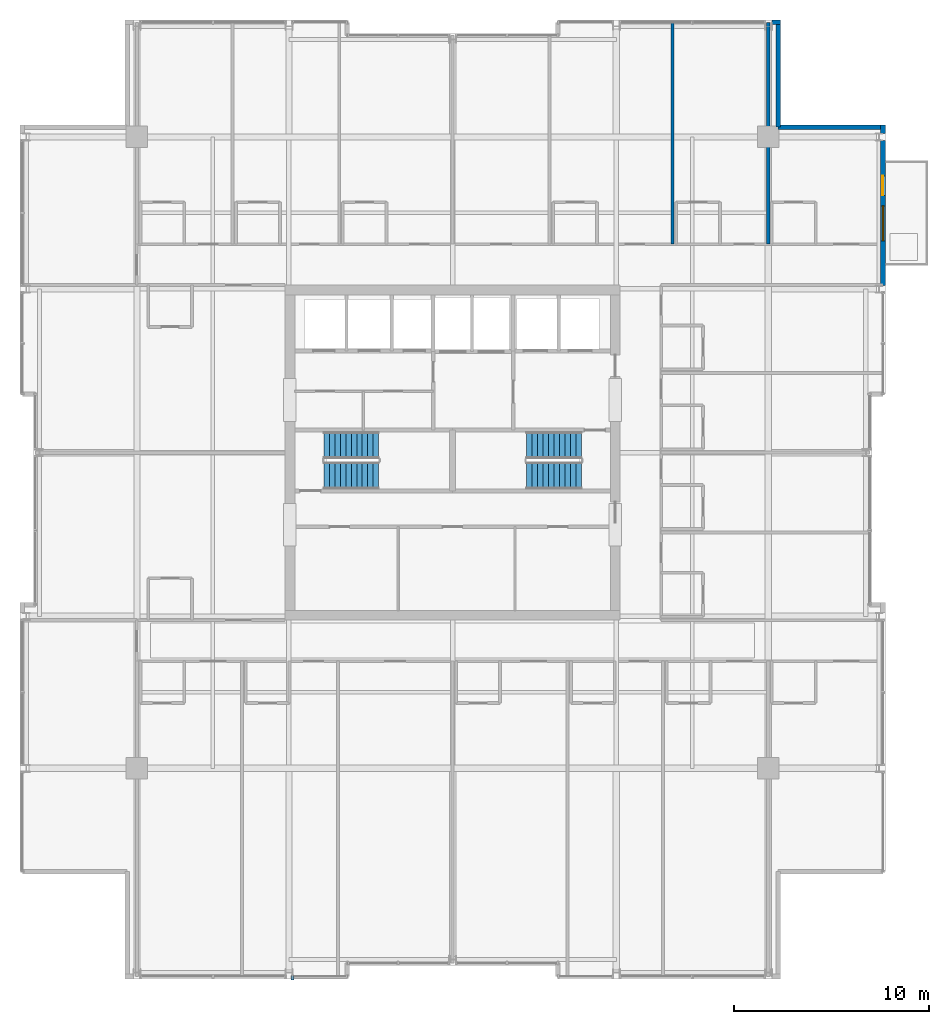
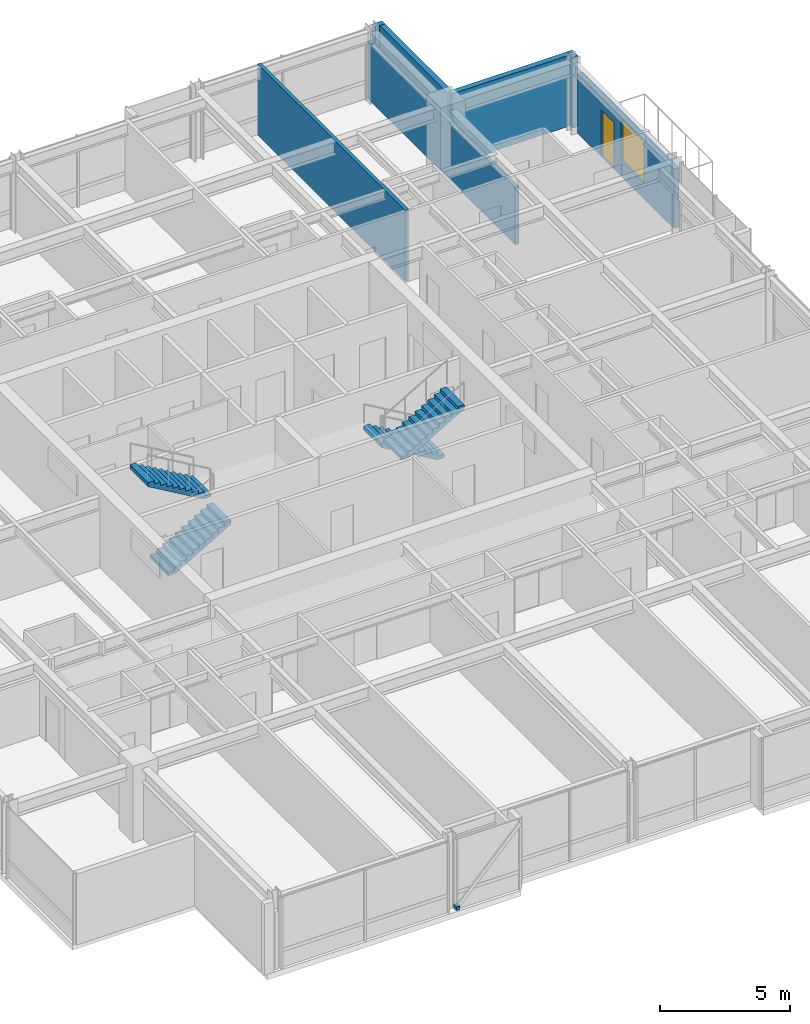
# One storey, part 31 of 34: 7 walls, 4 stair flights, 1 discrete accessory, 1 door, 1 window, 2 openings, 2 elements without a shape of their own.
"""IFC4 building model written with IfcOpenShell, lengths in metres."""

from ifc_helpers import new_model, si_unit, direction, frame, frame_2d, origin, origin_2d, place, context, subcontext, project, spatial, polyline, rectangle, outline, extrude, material, layer, layer_set, type_object, element, fill, aggregate, save


model = new_model("IFC4")

# Units and contexts
model_context = context("Model", 3, precision=1e-05, world=origin(), true_north=direction((0.0, 1.0)))
body_context = subcontext(model_context, "Body", "Model", "MODEL_VIEW")
ifc_project = project(units=[si_unit("LENGTHUNIT", "METRE"), si_unit("AREAUNIT", "SQUARE_METRE"), si_unit("VOLUMEUNIT", "CUBIC_METRE"), si_unit("PLANEANGLEUNIT", "RADIAN"), si_unit("MASSUNIT", "GRAM", prefix="KILO")], contexts=[model_context])

# Site, building, storey
site_placement = place(None, origin())
site = spatial("IfcSite", under=ifc_project, at=site_placement, CompositionType="ELEMENT")
building_placement = place(site_placement, origin())
building = spatial("IfcBuilding", under=site, at=building_placement, Name="Drelvath Grand Hotel", CompositionType="ELEMENT")
storey_placement = place(building_placement, frame((0.0, 0.0, 208.699951171875)))
storey = spatial("IfcBuildingStorey", under=building, at=storey_placement, Name="L54", CompositionType="ELEMENT", Elevation=208.699951171875)

# Walls
ifc_material_1 = material(Name="Gypsum Acoustic Partition")
ifc_layer_1 = layer(ifc_material_1, 0.14990234375)
ifc_layer_set_1 = layer_set([ifc_layer_1], Name="Gypsum Acoustic Partition")
wall_type_1 = type_object("IfcWallType", Name="Guestroom Demising Wall 150", PredefinedType="PARTITIONING", material=ifc_layer_set_1)
wall_1_placement = place(storey_placement, frame((11.291015625, 37.699951171875, 0.0), z_axis=(0.0, 0.0, 1.0), x_axis=(0.0, 1.0, 0.0)))
element("IfcWall", 1, at=wall_1_placement, inside=storey, type_object=wall_type_1, Name="L54 North Demising 5", PredefinedType="PARTITIONING", context=body_context, shape_type="SweptSolid", body=[
    extrude(rectangle(XDim=11.380126953125, YDim=0.14990234375, at=frame_2d((5.68994140625, 0.0))), origin(), (0.0, 0.0, 1.0), 3.340087890625),
])
ifc_layer_2 = layer(ifc_material_1, 0.1650390625)
ifc_layer_set_2 = layer_set([ifc_layer_2], Name="Gypsum Acoustic Partition")
wall_type_2 = type_object("IfcWallType", Name="Suite Demising Wall 165", PredefinedType="PARTITIONING", material=ifc_layer_set_2)
wall_2_placement = place(storey_placement, frame((16.199951171875, 37.699951171875, 0.0), z_axis=(0.0, 0.0, 1.0), x_axis=(0.0, 1.0, 0.0)))
element("IfcWall", 2, at=wall_2_placement, inside=storey, type_object=wall_type_2, Name="L54 NE Suite Wall", PredefinedType="PARTITIONING", context=body_context, shape_type="SweptSolid", body=[
    extrude(rectangle(XDim=11.380126953125, YDim=0.1650390625, at=frame_2d((5.68994140625, 0.0))), origin(), (0.0, 0.0, 1.0), 2.7138671875),
])

# Wall, openings, window, door
ifc_material_2 = material(Name="Pale-Metal Insulated Aluminium Spandrel Assembly", Category="aluminium")
ifc_layer_3 = layer(ifc_material_2, 0.239990234375)
ifc_layer_set_3 = layer_set([ifc_layer_3], Name="Pale-Metal Insulated Aluminium Spandrel Assembly")
wall_type_3 = type_object("IfcWallType", Name="Tower Insulated Metal Spandrel Closure Wall 240", PredefinedType="STANDARD", material=ifc_layer_set_3)
wall_3_placement = place(storey_placement, frame((22.080078125, 43.0146484375, 0.0), z_axis=(0.0, 0.0, 1.0), x_axis=(0.0, -1.0, 0.0)))
wall_3 = element("IfcWall", 3, at=wall_3_placement, inside=storey, type_object=wall_type_3, Name="L54 Exterior Terrace Door Bay Wall EN2", PredefinedType="STANDARD", context=body_context, shape_type="SweptSolid", body=[
    extrude(rectangle(XDim=7.429443359375, YDim=0.239990234375, at=frame_2d((3.71484375, 0.0))), origin(), (0.0, 0.0, 1.0), 2.803466796875),
])
opening_1_placement = place(wall_3_placement, frame((1.814697265625, 0.0, 0.0)))
opening_1 = element("IfcOpeningElement", 4, at=opening_1_placement, cuts=wall_3, Name="Opening TD-1000", PredefinedType="OPENING", context=body_context, shape_type="SweptSolid", body=[
    extrude(rectangle(XDim=1.0, YDim=2.199951171875, at=frame_2d((0.5, 1.10009765625))), frame((0.0, 0.1298828125, 0.0), z_axis=(0.0, -1.0, 0.0), x_axis=(1.0, 0.0, 0.0)), (0.0, 0.0, 1.0), 0.260009765625),
])
opening_2_placement = place(wall_3_placement, frame((3.34619140625, 0.0, 0.75)))
opening_2 = element("IfcOpeningElement", 5, at=opening_2_placement, cuts=wall_3, Name="Opening W-02", PredefinedType="OPENING", context=body_context, shape_type="SweptSolid", body=[
    extrude(rectangle(XDim=1.800048828125, YDim=1.953369140625, at=frame_2d((0.89990234375, 0.9765625))), frame((0.0, 0.1298828125, 0.0), z_axis=(0.0, -1.0, 0.0), x_axis=(1.0, 0.0, 0.0)), (0.0, 0.0, 1.0), 0.260009765625),
])
ifc_material_3 = material(Name="Bronze Anodised Low-E Triple Glazing", Category="glass")
window_type = type_object("IfcWindowType", Name="Chicago Double-Pane Podium Window 1800x2400", PartitioningType="DOUBLE_PANEL_VERTICAL", PredefinedType="WINDOW", material=ifc_material_3)
window_placement = place(opening_2_placement, origin())
window = element("IfcWindow", 6, at=window_placement, inside=storey, type_object=window_type, Name="L54 Terrace Bay Companion Window EN2", OverallHeight=1.953369140625, OverallWidth=1.800048828125, PartitioningType="SINGLE_PANEL", PredefinedType="WINDOW", context=body_context, shape_type="SweptSolid", body=[
    extrude(rectangle(XDim=1.800048828125, YDim=1.953369140625, at=frame_2d((0.89990234375, 0.9765625))), frame((0.0, 0.030029296875, 0.0), z_axis=(0.0, -1.0, 0.0), x_axis=(1.0, 0.0, 0.0)), (0.0, 0.0, 1.0), 0.06005859375),
])
fill(opening_2, window)
ifc_material_4 = material(Name="Anodised Aluminium Thermally Broken Glazed Door", Category="aluminium")
door_type = type_object("IfcDoorType", Name="Terrace and Tree Balcony Glazed Door 1000x2200", OperationType="NOTDEFINED", PredefinedType="DOOR", material=ifc_material_4)
door_placement = place(opening_1_placement, origin())
door = element("IfcDoor", 7, at=door_placement, inside=storey, type_object=door_type, Name="L54 Tree Balcony Door DOOR-L54-TBAL-1", OperationType="SINGLE_SWING_LEFT", OverallHeight=2.199951171875, OverallWidth=1.0, PredefinedType="DOOR", context=body_context, shape_type="SweptSolid", body=[
    extrude(rectangle(XDim=1.0, YDim=2.199951171875, at=frame_2d((0.5, 1.10009765625))), frame((0.0, 0.02490234375, 0.0), z_axis=(0.0, -1.0, 0.0), x_axis=(1.0, 0.0, 0.0)), (0.0, 0.0, 1.0), 0.050048828125),
])
fill(opening_1, door)

# Walls
for number, where, z_axis, x_axis, name in (
    (8, (22.080078125, 43.820068359375, 0.0), (0.0, 0.0, 1.0), (0.0, -1.0, 0.0), "L54 Corner Pier Spandrel Wall EN3"),
    (9, (16.38525390625, 49.080078125, 0.0), (0.0, 0.0, 1.0), (1.0, 0.0, 0.0), "L54 Corner Pier Spandrel Wall NE3"),
):
    element("IfcWall", number, at=place(storey_placement, frame(where, z_axis=z_axis, x_axis=x_axis)), inside=storey, type_object=wall_type_3, Name=name, PredefinedType="STANDARD", context=body_context, shape_type="SweptSolid", body=[
        extrude(rectangle(XDim=0.434814453125, YDim=0.239990234375, at=frame_2d((0.21728515625, 0.0))), origin(), (0.0, 0.0, 1.0), 3.340087890625),
    ])
for number, where, z_axis, x_axis, name in (
    (10, (16.699951171875, 48.9599609375, 0.0), (0.0, 0.0, 1.0), (0.0, -1.0, 0.0), "L54 Notched Corner Return Spandrel Wall CNE1"),
    (11, (16.699951171875, 43.699951171875, 0.0), (0.0, 0.0, 1.0), (1.0, 0.0, 0.0), "L54 Notched Corner Return Spandrel Wall CNE2"),
):
    element("IfcWall", number, at=place(storey_placement, frame(where, z_axis=z_axis, x_axis=x_axis)), inside=storey, type_object=wall_type_3, Name=name, PredefinedType="STANDARD", context=body_context, shape_type="SweptSolid", body=[
        extrude(rectangle(XDim=5.260009765625, YDim=0.239990234375, at=frame_2d((2.6298828125, 0.0))), origin(), (0.0, 0.0, 1.0), 3.340087890625),
    ])

# Stair, stair flights
ifc_material_5 = material(Name="Concrete C40/50", Category="concrete")
stair_type = type_object("IfcStairType", Name="Dogleg Exit Stair W1400-R163.6", PredefinedType="HALF_TURN_STAIR", material=ifc_material_5)
stair_1_placement = place(storey_placement, origin())
stair_1 = element("IfcStair", 12, at=stair_1_placement, inside=storey, type_object=stair_type, Name="L54 Core Exit Stair ST-1", PredefinedType="HALF_TURN_STAIR")
stair_flight_type = type_object("IfcStairFlightType", Name="Concrete Stair Flight W1400-R163.6", PredefinedType="STRAIGHT", material=ifc_material_5)
stair_flight_1_placement = place(storey_placement, frame((-6.60009765625, 25.820068359375, 0.0), z_axis=(0.0, 0.0, 1.0), x_axis=(1.0, 0.0, 0.0)))
stair_flight_1 = element("IfcStairFlight", 13, at=stair_flight_1_placement, type_object=stair_flight_type, Name="ST-1 flight 1", NumberOfRisers=11, NumberOfTreads=10, PredefinedType="STRAIGHT", RiserHeight=0.163636364, TreadLength=0.28, context=body_context, shape_type="SweptSolid", body=[
    extrude(outline(polyline([(0.0, 0.0), (0.0, 0.16357421875), (0.280029296875, 0.16357421875), (0.280029296875, 0.327392578125), (0.56005859375, 0.327392578125), (0.56005859375, 0.490966796875), (0.840087890625, 0.490966796875), (0.840087890625, 0.654541015625), (1.1201171875, 0.654541015625), (1.1201171875, 0.818115234375), (1.39990234375, 0.818115234375), (1.39990234375, 0.98193359375), (1.679931640625, 0.98193359375), (1.679931640625, 1.1455078125), (1.9599609375, 1.1455078125), (1.9599609375, 1.30908203125), (2.239990234375, 1.30908203125), (2.239990234375, 1.47265625), (2.52001953125, 1.47265625), (2.52001953125, 1.636474609375), (2.800048828125, 1.636474609375), (2.800048828125, 1.800048828125), (2.800048828125, 1.451171875), (0.31689453125, 0.0), (0.0, 0.0)])), frame((0.0, 0.699951171875, 0.0), z_axis=(0.0, -1.0, 0.0), x_axis=(1.0, 0.0, 0.0)), (0.0, 0.0, 1.0), 1.39990234375),
])
stair_flight_2_placement = place(storey_placement, frame((-3.800048828125, 27.3798828125, 1.800048828125), z_axis=(0.0, 0.0, 1.0), x_axis=(-1.0, 0.0, 0.0)))
stair_flight_2 = element("IfcStairFlight", 14, at=stair_flight_2_placement, type_object=stair_flight_type, Name="ST-1 flight 2", NumberOfRisers=11, NumberOfTreads=10, PredefinedType="STRAIGHT", RiserHeight=0.163636364, TreadLength=0.28, context=body_context, shape_type="SweptSolid", body=[
    extrude(outline(polyline([(0.0, 0.0), (0.0, 0.16357421875), (0.280029296875, 0.16357421875), (0.280029296875, 0.327392578125), (0.56005859375, 0.327392578125), (0.56005859375, 0.490966796875), (0.840087890625, 0.490966796875), (0.840087890625, 0.654541015625), (1.1201171875, 0.654541015625), (1.1201171875, 0.818115234375), (1.39990234375, 0.818115234375), (1.39990234375, 0.98193359375), (1.679931640625, 0.98193359375), (1.679931640625, 1.1455078125), (1.9599609375, 1.1455078125), (1.9599609375, 1.30908203125), (2.239990234375, 1.30908203125), (2.239990234375, 1.47265625), (2.52001953125, 1.47265625), (2.52001953125, 1.636474609375), (2.800048828125, 1.636474609375), (2.800048828125, 1.800048828125), (2.800048828125, 1.451171875), (0.31689453125, 0.0), (0.0, 0.0)])), frame((0.0, 0.699951171875, 0.0), z_axis=(0.0, -1.0, 0.0), x_axis=(1.0, 0.0, 0.0)), (0.0, 0.0, 1.0), 1.39990234375),
])
aggregate(stair_1, [stair_flight_1, stair_flight_2])

stair_2_placement = place(storey_placement, origin())
stair_2 = element("IfcStair", 15, at=stair_2_placement, inside=storey, type_object=stair_type, Name="L54 Core Exit Stair ST-2", PredefinedType="HALF_TURN_STAIR")
stair_flight_3_placement = place(storey_placement, frame((6.60009765625, 27.3798828125, 0.0), z_axis=(0.0, 0.0, 1.0), x_axis=(-1.0, 0.0, 0.0)))
stair_flight_3 = element("IfcStairFlight", 16, at=stair_flight_3_placement, type_object=stair_flight_type, Name="ST-2 flight 1", NumberOfRisers=11, NumberOfTreads=10, PredefinedType="STRAIGHT", RiserHeight=0.163636364, TreadLength=0.28, context=body_context, shape_type="SweptSolid", body=[
    extrude(outline(polyline([(0.0, 0.0), (0.0, 0.16357421875), (0.280029296875, 0.16357421875), (0.280029296875, 0.327392578125), (0.56005859375, 0.327392578125), (0.56005859375, 0.490966796875), (0.840087890625, 0.490966796875), (0.840087890625, 0.654541015625), (1.1201171875, 0.654541015625), (1.1201171875, 0.818115234375), (1.39990234375, 0.818115234375), (1.39990234375, 0.98193359375), (1.679931640625, 0.98193359375), (1.679931640625, 1.1455078125), (1.9599609375, 1.1455078125), (1.9599609375, 1.30908203125), (2.239990234375, 1.30908203125), (2.239990234375, 1.47265625), (2.52001953125, 1.47265625), (2.52001953125, 1.636474609375), (2.800048828125, 1.636474609375), (2.800048828125, 1.800048828125), (2.800048828125, 1.451171875), (0.31689453125, 0.0), (0.0, 0.0)])), frame((0.0, 0.699951171875, 0.0), z_axis=(0.0, -1.0, 0.0), x_axis=(1.0, 0.0, 0.0)), (0.0, 0.0, 1.0), 1.39990234375),
])
stair_flight_4_placement = place(storey_placement, frame((3.800048828125, 25.820068359375, 1.800048828125), z_axis=(0.0, 0.0, 1.0), x_axis=(1.0, 0.0, 0.0)))
stair_flight_4 = element("IfcStairFlight", 17, at=stair_flight_4_placement, type_object=stair_flight_type, Name="ST-2 flight 2", NumberOfRisers=11, NumberOfTreads=10, PredefinedType="STRAIGHT", RiserHeight=0.163636364, TreadLength=0.28, context=body_context, shape_type="SweptSolid", body=[
    extrude(outline(polyline([(0.0, 0.0), (0.0, 0.16357421875), (0.280029296875, 0.16357421875), (0.280029296875, 0.327392578125), (0.56005859375, 0.327392578125), (0.56005859375, 0.490966796875), (0.840087890625, 0.490966796875), (0.840087890625, 0.654541015625), (1.1201171875, 0.654541015625), (1.1201171875, 0.818115234375), (1.39990234375, 0.818115234375), (1.39990234375, 0.98193359375), (1.679931640625, 0.98193359375), (1.679931640625, 1.1455078125), (1.9599609375, 1.1455078125), (1.9599609375, 1.30908203125), (2.239990234375, 1.30908203125), (2.239990234375, 1.47265625), (2.52001953125, 1.47265625), (2.52001953125, 1.636474609375), (2.800048828125, 1.636474609375), (2.800048828125, 1.800048828125), (2.800048828125, 1.451171875), (0.31689453125, 0.0), (0.0, 0.0)])), frame((0.0, 0.699951171875, 0.0), z_axis=(0.0, -1.0, 0.0), x_axis=(1.0, 0.0, 0.0)), (0.0, 0.0, 1.0), 1.39990234375),
])
aggregate(stair_2, [stair_flight_3, stair_flight_4])

# Discrete accessory
ifc_material_6 = material(Name="Stainless Steel Grade 316", Category="steel")
discrete_accessory_type = type_object("IfcDiscreteAccessoryType", Name="Curtain Wall Fin Mounting Bracket Cleat", PredefinedType="BRACKET", material=ifc_material_6)
discrete_accessory_placement = place(storey_placement, frame((-8.214599609375, 0.06005859375, 0.10009765625), z_axis=(0.0, 0.0, 1.0), x_axis=(-1.0, 0.0, 0.0)))
element("IfcDiscreteAccessory", 18, at=discrete_accessory_placement, inside=storey, type_object=discrete_accessory_type, Name="L54 Fin Mounting Bracket CW05-L54-SW3-1", PredefinedType="BRACKET", context=body_context, shape_type="SweptSolid", body=[
    extrude(rectangle(XDim=0.159912109375, YDim=0.239990234375, at=origin_2d()), origin(), (0.0, 0.0, 1.0), 0.159912109375),
])

save(model, "model.ifc")
